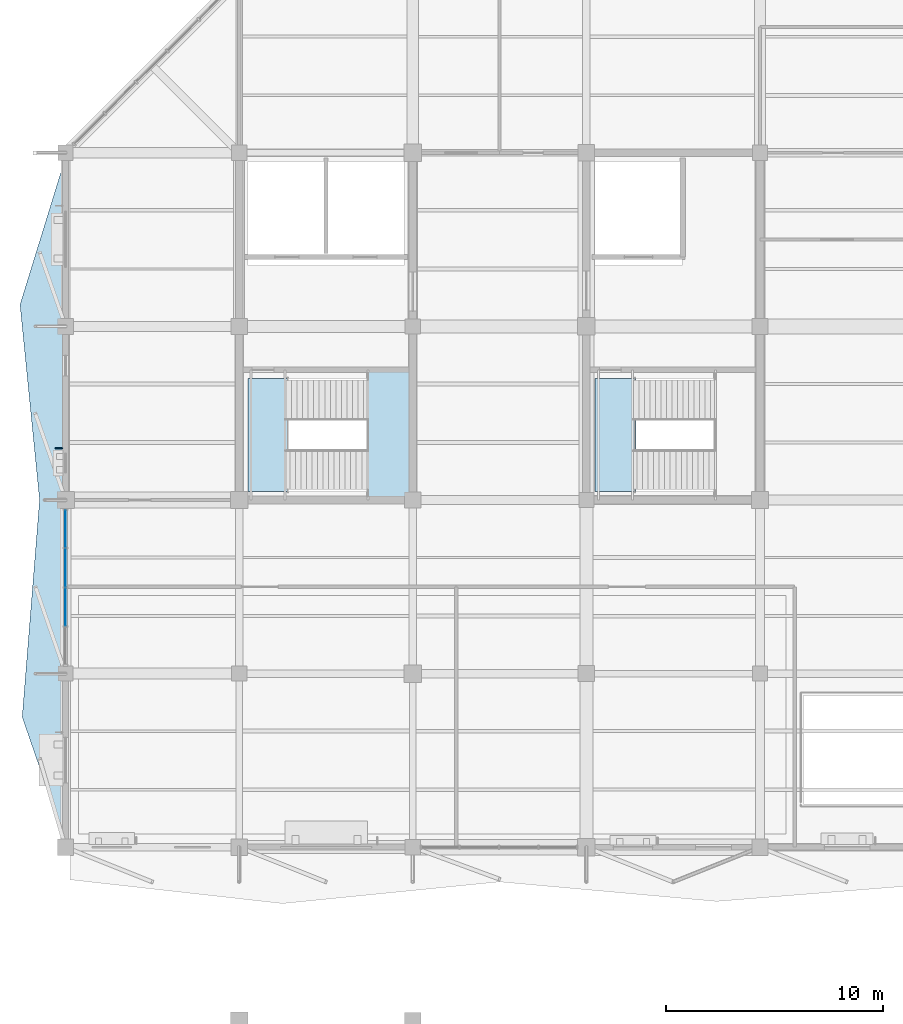
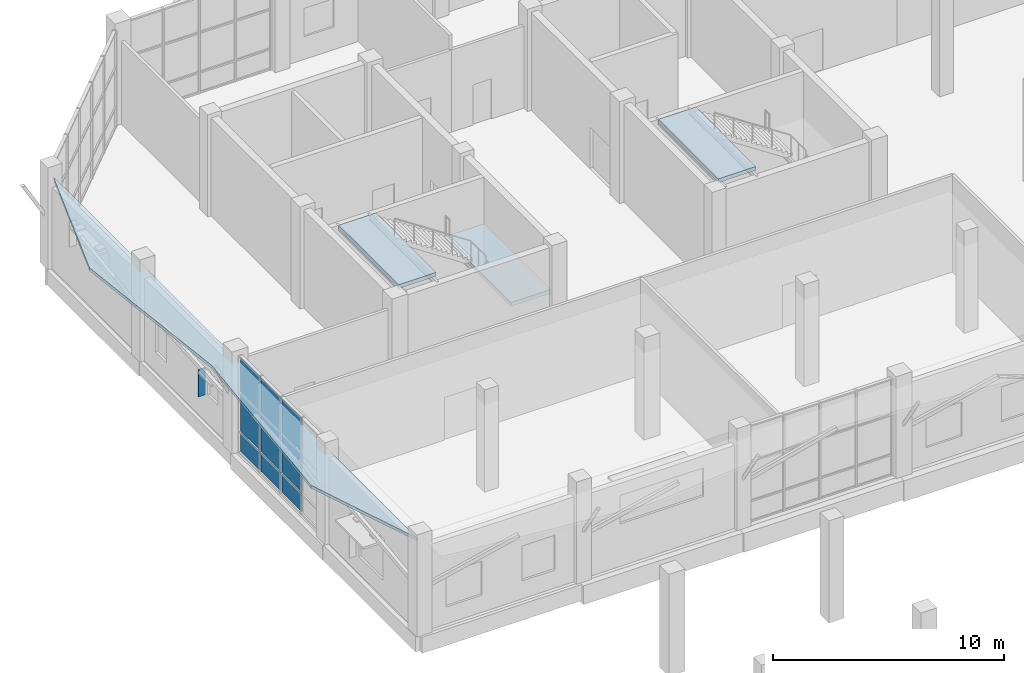
# One storey, part 79 of 122: 10 plates, 4 slabs, 3 elements without a shape of their own.
"""IFC4 building model written with IfcOpenShell, lengths in metres."""

from ifc_helpers import new_model, si_unit, direction, frame, origin, origin_2d, place, context, subcontext, project, spatial, polyline, rectangle, outline, extrude, material, layer, layer_set, type_object, element, aggregate, save


model = new_model("IFC4")

# Units and contexts
model_context = context("Model", 3, precision=1e-05, world=origin(), true_north=direction((0.0, 1.0)))
body_context = subcontext(model_context, "Body", "Model", "MODEL_VIEW")
ifc_project = project(units=[si_unit("LENGTHUNIT", "METRE"), si_unit("AREAUNIT", "SQUARE_METRE"), si_unit("VOLUMEUNIT", "CUBIC_METRE"), si_unit("PLANEANGLEUNIT", "RADIAN"), si_unit("MASSUNIT", "GRAM", prefix="KILO")], contexts=[model_context])

# Site, building, storey
site_placement = place(None, origin())
site = spatial("IfcSite", under=ifc_project, at=site_placement, CompositionType="ELEMENT")
building_placement = place(site_placement, origin())
building = spatial("IfcBuilding", under=site, at=building_placement, Name="Tenunan Teduh Sports Hall", CompositionType="ELEMENT")
storey_placement = place(building_placement, frame((0.0, 0.0, 5.39990234375)))
storey = spatial("IfcBuildingStorey", under=building, at=storey_placement, Name="L01", CompositionType="ELEMENT", Elevation=5.39990234375)

# Curtain wall, plates
ifc_material_1 = material(Name="Anodised aluminium", Category="aluminium")
curtain_wall_type = type_object("IfcCurtainWallType", Name="CW-UNIT-1", PredefinedType="NOTDEFINED", material=ifc_material_1)
curtain_wall_placement = place(storey_placement, origin())
curtain_wall = element("IfcCurtainWall", 1, at=curtain_wall_placement, inside=storey, type_object=curtain_wall_type, Name="CW-CWM-220-L01-209", PredefinedType="NOTDEFINED")
ifc_material_2 = material(Name="Solar-control laminated glazing", Category="glass")
ifc_layer_1 = layer(ifc_material_2, 0.031982421875)
ifc_layer_set_1 = layer_set([ifc_layer_1], Name="Solar-control laminated glazing")
plate_type_1 = type_object("IfcPlateType", Name="CWP-GLZ-32", PredefinedType="CURTAIN_PANEL", material=ifc_layer_set_1)
plate_1_placement = place(storey_placement, frame((6.0, 89.06884765625, 1.1376953125), z_axis=(0.0, 0.0, 1.0), x_axis=(0.0, 1.0, 0.0)))
plate_1 = element("IfcPlate", 2, at=plate_1_placement, type_object=plate_type_1, Name="CW-01 panel 2.2", PredefinedType="CURTAIN_PANEL", context=body_context, shape_type="SweptSolid", body=[
    extrude(rectangle(XDim=1.737548828125, YDim=0.031982421875, at=origin_2d()), origin(), (0.0, 0.0, 1.0), 2.02490234375),
])
plate_2_placement = place(storey_placement, frame((6.0, 89.06884765625, 3.237548828125), z_axis=(0.0, 0.0, 1.0), x_axis=(0.0, 1.0, 0.0)))
plate_2 = element("IfcPlate", 3, at=plate_2_placement, type_object=plate_type_1, Name="CW-01 panel 2.3", PredefinedType="CURTAIN_PANEL", context=body_context, shape_type="SweptSolid", body=[
    extrude(rectangle(XDim=1.737548828125, YDim=0.031982421875, at=origin_2d()), origin(), (0.0, 0.0, 1.0), 1.8076171875),
])
plate_3_placement = place(storey_placement, frame((6.0, 90.88134765625, 1.1376953125), z_axis=(0.0, 0.0, 1.0), x_axis=(0.0, 1.0, 0.0)))
plate_3 = element("IfcPlate", 4, at=plate_3_placement, type_object=plate_type_1, Name="CW-01 panel 3.2", PredefinedType="CURTAIN_PANEL", context=body_context, shape_type="SweptSolid", body=[
    extrude(rectangle(XDim=1.737548828125, YDim=0.031982421875, at=origin_2d()), origin(), (0.0, 0.0, 1.0), 2.02490234375),
])
plate_4_placement = place(storey_placement, frame((6.0, 90.88134765625, 3.237548828125), z_axis=(0.0, 0.0, 1.0), x_axis=(0.0, 1.0, 0.0)))
plate_4 = element("IfcPlate", 5, at=plate_4_placement, type_object=plate_type_1, Name="CW-01 panel 3.3", PredefinedType="CURTAIN_PANEL", context=body_context, shape_type="SweptSolid", body=[
    extrude(rectangle(XDim=1.737548828125, YDim=0.031982421875, at=origin_2d()), origin(), (0.0, 0.0, 1.0), 1.8076171875),
])
plate_5_placement = place(storey_placement, frame((6.0, 92.675048828125, 1.1376953125), z_axis=(0.0, 0.0, 1.0), x_axis=(0.0, 1.0, 0.0)))
plate_5 = element("IfcPlate", 6, at=plate_5_placement, type_object=plate_type_1, Name="CW-01 panel 4.2", PredefinedType="CURTAIN_PANEL", context=body_context, shape_type="SweptSolid", body=[
    extrude(rectangle(XDim=1.699951171875, YDim=0.031982421875, at=origin_2d()), origin(), (0.0, 0.0, 1.0), 2.02490234375),
])
plate_6_placement = place(storey_placement, frame((6.0, 92.675048828125, 3.237548828125), z_axis=(0.0, 0.0, 1.0), x_axis=(0.0, 1.0, 0.0)))
plate_6 = element("IfcPlate", 7, at=plate_6_placement, type_object=plate_type_1, Name="CW-01 panel 4.3", PredefinedType="CURTAIN_PANEL", context=body_context, shape_type="SweptSolid", body=[
    extrude(rectangle(XDim=1.699951171875, YDim=0.031982421875, at=origin_2d()), origin(), (0.0, 0.0, 1.0), 1.8076171875),
])
ifc_material_3 = material(Name="Insulated aluminium spandrel panel", Category="aluminium")
ifc_layer_2 = layer(ifc_material_3, 0.044921875)
ifc_layer_set_2 = layer_set([ifc_layer_2], Name="Insulated aluminium spandrel panel")
plate_type_2 = type_object("IfcPlateType", Name="CWP-SPN-45", PredefinedType="CURTAIN_PANEL", material=ifc_layer_set_2)
plate_7_placement = place(storey_placement, frame((6.0, 89.06884765625, 0.0751953125), z_axis=(0.0, 0.0, 1.0), x_axis=(0.0, 1.0, 0.0)))
plate_7 = element("IfcPlate", 8, at=plate_7_placement, type_object=plate_type_2, Name="CW-01 panel 2.1", PredefinedType="CURTAIN_PANEL", context=body_context, shape_type="SweptSolid", body=[
    extrude(rectangle(XDim=1.737548828125, YDim=0.031982421875, at=origin_2d()), origin(), (0.0, 0.0, 1.0), 0.987548828125),
])
plate_8_placement = place(storey_placement, frame((6.0, 90.88134765625, 0.0751953125), z_axis=(0.0, 0.0, 1.0), x_axis=(0.0, 1.0, 0.0)))
plate_8 = element("IfcPlate", 9, at=plate_8_placement, type_object=plate_type_2, Name="CW-01 panel 3.1", PredefinedType="CURTAIN_PANEL", context=body_context, shape_type="SweptSolid", body=[
    extrude(rectangle(XDim=1.737548828125, YDim=0.031982421875, at=origin_2d()), origin(), (0.0, 0.0, 1.0), 0.987548828125),
])
plate_9_placement = place(storey_placement, frame((6.0, 92.675048828125, 0.0751953125), z_axis=(0.0, 0.0, 1.0), x_axis=(0.0, 1.0, 0.0)))
plate_9 = element("IfcPlate", 10, at=plate_9_placement, type_object=plate_type_2, Name="CW-01 panel 4.1", PredefinedType="CURTAIN_PANEL", context=body_context, shape_type="SweptSolid", body=[
    extrude(rectangle(XDim=1.699951171875, YDim=0.031982421875, at=origin_2d()), origin(), (0.0, 0.0, 1.0), 0.987548828125),
])
aggregate(curtain_wall, [plate_7, plate_1, plate_2, plate_8, plate_3, plate_4, plate_9, plate_5, plate_6])

# Plate
ifc_material_4 = material(Name="Anodised aluminium", Category="aluminium")
ifc_layer_3 = layer(ifc_material_4, 1.89990234375)
ifc_layer_set_3 = layer_set([ifc_layer_3], Name="Anodised aluminium")
plate_type_3 = type_object("IfcPlateType", Name="PLT-FIN-1", PredefinedType="SHEET", material=ifc_layer_set_3)
plate_10_placement = place(storey_placement, frame((5.695068359375, 96.389892578125, 1.380126953125), z_axis=(0.0, 0.0, 1.0), x_axis=(0.0, 1.0, 0.0)))
element("IfcPlate", 11, at=plate_10_placement, inside=storey, type_object=plate_type_3, Name="PLT-FIN-L01-036", PredefinedType="SHEET", context=body_context, shape_type="SweptSolid", body=[
    extrude(rectangle(XDim=0.0400390625, YDim=0.360107421875, at=origin_2d()), origin(), (0.0, 0.0, 1.0), 1.43994140625),
])

# Stair, slabs
ifc_material_5 = material(Name="Precast concrete C40/50", Category="concrete")
stair_type = type_object("IfcStairType", Name="STR-CORE-54", PredefinedType="HALF_TURN_STAIR", material=ifc_material_5)
stair_1_placement = place(storey_placement, origin())
stair_1 = element("IfcStair", 12, at=stair_1_placement, inside=storey, type_object=stair_type, Name="STR-W1-L01", PredefinedType="HALF_TURN_STAIR")
ifc_material_6 = material(Name="Precast concrete C40/50", Category="concrete")
ifc_layer_4 = layer(ifc_material_6, 0.199951171875)
ifc_layer_set_4 = layer_set([ifc_layer_4], Name="Precast concrete C40/50")
slab_type_1 = type_object("IfcSlabType", Name="SLB-LND-200", PredefinedType="LANDING", material=ifc_layer_set_4)
slab_1_placement = place(storey_placement, frame((0.0, 0.0, 2.5)))
slab_1 = element("IfcSlab", 13, at=slab_1_placement, type_object=slab_type_1, Name="ST-03 landing 1", PredefinedType="LANDING", context=body_context, shape_type="SweptSolid", body=[
    extrude(outline(polyline([(19.864990234375, 94.139892578125), (21.860107421875, 94.139892578125), (21.860107421875, 99.89990234375), (19.864990234375, 99.89990234375), (19.864990234375, 94.139892578125)])), origin(), (0.0, 0.0, 1.0), 0.2001953125),
])
slab_2_placement = place(storey_placement, frame((0.0, 0.0, 5.2001953125)))
slab_2 = element("IfcSlab", 14, at=slab_2_placement, type_object=slab_type_1, Name="ST-03 landing 2", PredefinedType="LANDING", context=body_context, shape_type="SweptSolid", body=[
    extrude(outline(polyline([(14.39990234375, 94.39990234375), (16.280029296875, 94.39990234375), (16.280029296875, 99.60009765625), (14.39990234375, 99.60009765625), (14.39990234375, 94.39990234375)])), origin(), (0.0, 0.0, 1.0), 0.199951171875),
])
aggregate(stair_1, [slab_1, slab_2])

# Stair, slab
stair_2_placement = place(storey_placement, origin())
stair_2 = element("IfcStair", 15, at=stair_2_placement, inside=storey, type_object=stair_type, Name="STR-W2-L01", PredefinedType="HALF_TURN_STAIR")
slab_3_placement = place(storey_placement, frame((0.0, 0.0, 5.2001953125)))
slab_3 = element("IfcSlab", 16, at=slab_3_placement, type_object=slab_type_1, Name="ST-08 landing 2", PredefinedType="LANDING", context=body_context, shape_type="SweptSolid", body=[
    extrude(outline(polyline([(30.39990234375, 94.39990234375), (32.280029296875, 94.39990234375), (32.280029296875, 99.60009765625), (30.39990234375, 99.60009765625), (30.39990234375, 94.39990234375)])), origin(), (0.0, 0.0, 1.0), 0.199951171875),
])
aggregate(stair_2, [slab_3])

# Slab
ifc_material_7 = material(Name="Concrete C40/50", Category="concrete")
ifc_layer_5 = layer(ifc_material_7, 0.159912109375)
ifc_layer_set_5 = layer_set([ifc_layer_5], Name="Concrete C40/50")
slab_type_2 = type_object("IfcSlabType", Name="SLB-ROOF-160", PredefinedType="ROOF", material=ifc_layer_set_5)
slab_4_placement = place(storey_placement, frame((0.0, 0.0, 4.590087890625)))
element("IfcSlab", 17, at=slab_4_placement, inside=storey, type_object=slab_type_2, Name="Window Head Sun-Shade Hood SHD-RIB-V5W-W-L01", PredefinedType="ROOF", context=body_context, shape_type="SweptSolid", body=[
    extrude(outline(polyline([(6.0, 78.199951171875), (4.0, 84.0), (4.800048828125, 94.0), (3.89990234375, 103.0), (6.0, 109.800048828125), (6.0, 78.199951171875)])), origin(), (0.0, 0.0, 1.0), 0.159912109375),
])

save(model, "model.ifc")
